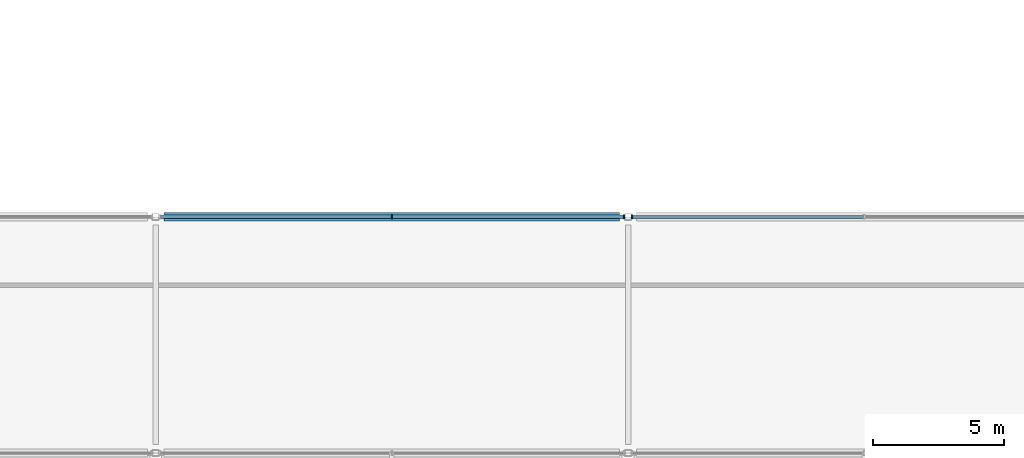
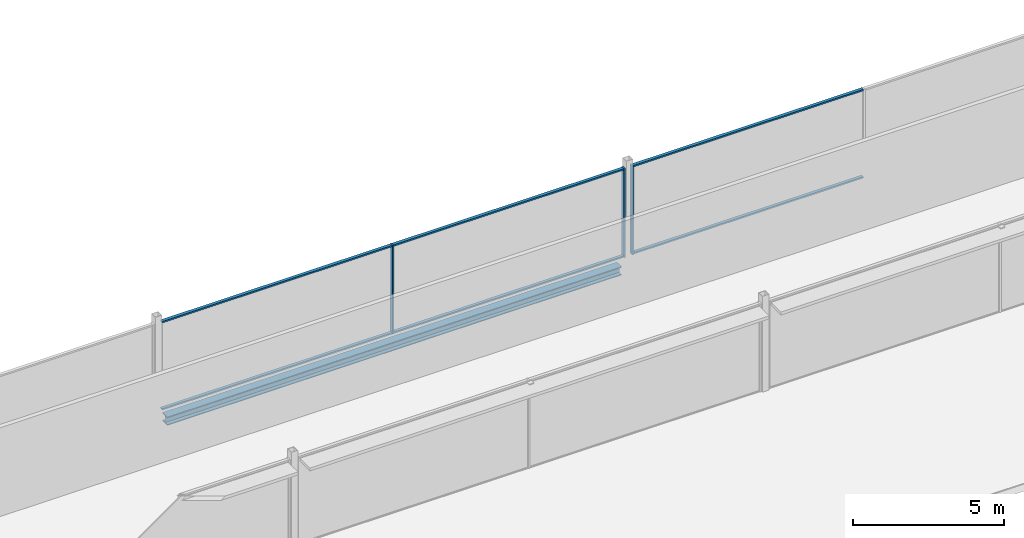
# One storey, part 38 of 105: 9 members, 1 beam, 2 elements without a shape of their own.
"""IFC4 building model written with IfcOpenShell, lengths in metres."""

from ifc_helpers import new_model, si_unit, direction, frame, origin, origin_2d, place, context, subcontext, project, spatial, rectangle, i_section, extrude, material, layer, layer_set, material_profile, profile_set, type_object, element, aggregate, save


model = new_model("IFC4")

# Units and contexts
model_context = context("Model", 3, precision=1e-05, world=origin(), true_north=direction((0.0, 1.0)))
body_context = subcontext(model_context, "Body", "Model", "MODEL_VIEW")
ifc_project = project(units=[si_unit("LENGTHUNIT", "METRE"), si_unit("AREAUNIT", "SQUARE_METRE"), si_unit("VOLUMEUNIT", "CUBIC_METRE"), si_unit("PLANEANGLEUNIT", "RADIAN"), si_unit("MASSUNIT", "GRAM", prefix="KILO")], contexts=[model_context])

# Site, building, storey
site_placement = place(None, origin())
site = spatial("IfcSite", under=ifc_project, at=site_placement, CompositionType="ELEMENT")
building_placement = place(site_placement, origin())
building = spatial("IfcBuilding", under=site, at=building_placement, Name="Kisiwana Market Hall", CompositionType="ELEMENT")
storey_placement = place(building_placement, frame((0.0, 0.0, 21.60009765625)))
storey = spatial("IfcBuildingStorey", under=building, at=storey_placement, Name="L04", CompositionType="ELEMENT", Elevation=21.60009765625)

# Beam
ifc_material_1 = material(Name="Steel S355", Category="steel")
ifc_material_profile_1 = material_profile(ifc_material_1, i_section(OverallWidth=0.314453125, OverallDepth=0.33984375, WebThickness=0.01904296875, FlangeThickness=0.031494140625, at=origin_2d()), Name="UC 305x305x198")
ifc_profile_set_1 = profile_set([ifc_material_profile_1], Name="Steel S355")
beam_type = type_object("IfcBeamType", Name="BM-SKYBR-CHORD", PredefinedType="BEAM", material=ifc_profile_set_1)
beam_placement = place(storey_placement, frame((63.321044921875, 102.0, -0.43505859375), z_axis=(1.0, 0.0, 0.0), x_axis=(0.0, 1.0, 0.0)))
element("IfcBeam", 1, at=beam_placement, inside=storey, type_object=beam_type, Name="Floor beam B-1472", PredefinedType="BEAM", context=body_context, shape_type="SweptSolid", body=[
    extrude(i_section(OverallWidth=0.314453125, OverallDepth=0.33984375, WebThickness=0.01904296875, FlangeThickness=0.031494140625, at=origin_2d()), origin(), (0.0, 0.0, 1.0), 17.35791015625),
])

# Curtain wall, members
ifc_material_2 = material(Name="Double-glazed solar-control low-E IGU", Category="glass")
ifc_layer = layer(ifc_material_2, 0.159912109375)
ifc_layer_set = layer_set([ifc_layer], Name="CW-ZNA-EW-8200")
curtain_wall_type = type_object("IfcCurtainWallType", Name="CW-ZNA-EW-8200", PredefinedType="USERDEFINED", material=ifc_layer_set)
curtain_wall_1_placement = place(storey_placement, origin())
curtain_wall_1 = element("IfcCurtainWall", 2, at=curtain_wall_1_placement, inside=storey, type_object=curtain_wall_type, Name="Unitised curtain wall CW-111 (L04)", ObjectType="UNITISED CURTAIN WALL", PredefinedType="USERDEFINED")
ifc_material_3 = material(Name="Aluminium alloy 6063-T6", Category="aluminium")
ifc_material_profile_2 = material_profile(ifc_material_3, rectangle(XDim=0.06005859375, YDim=0.159912109375, at=origin_2d()), Name="ALU MULLION 60x160")
ifc_profile_set_2 = profile_set([ifc_material_profile_2], Name="Aluminium alloy 6063-T6")
member_type_1 = type_object("IfcMemberType", Name="CW-MULL-60x160", PredefinedType="MULLION", material=ifc_profile_set_2)
member_1_placement = place(storey_placement, frame((72.0, 102.0, 0.0), z_axis=(0.0, 0.0, 1.0), x_axis=(1.0, 0.0, 0.0)))
member_1 = element("IfcMember", 3, at=member_1_placement, type_object=member_type_1, Name="CW-111 mullion 2", PredefinedType="MULLION", context=body_context, shape_type="SweptSolid", body=[
    extrude(rectangle(XDim=0.06005859375, YDim=0.159912109375, at=origin_2d()), origin(), (0.0, 0.0, 1.0), 3.5849609375),
])
member_2_placement = place(storey_placement, frame((80.844970703125, 102.0, 0.0), z_axis=(0.0, 0.0, 1.0), x_axis=(1.0, 0.0, 0.0)))
member_2 = element("IfcMember", 4, at=member_2_placement, type_object=member_type_1, Name="CW-111 mullion 3", PredefinedType="MULLION", context=body_context, shape_type="SweptSolid", body=[
    extrude(rectangle(XDim=0.06005859375, YDim=0.159912109375, at=origin_2d()), origin(), (0.0, 0.0, 1.0), 3.5849609375),
])

# Curtain wall, member
curtain_wall_2_placement = place(storey_placement, origin())
curtain_wall_2 = element("IfcCurtainWall", 5, at=curtain_wall_2_placement, inside=storey, type_object=curtain_wall_type, Name="Unitised curtain wall CW-112 (L04)", ObjectType="UNITISED CURTAIN WALL", PredefinedType="USERDEFINED")
member_3_placement = place(storey_placement, frame((81.155029296875, 102.0, 0.0), z_axis=(0.0, 0.0, 1.0), x_axis=(1.0, 0.0, 0.0)))
member_3 = element("IfcMember", 6, at=member_3_placement, type_object=member_type_1, Name="CW-112 mullion 1", PredefinedType="MULLION", context=body_context, shape_type="SweptSolid", body=[
    extrude(rectangle(XDim=0.06005859375, YDim=0.159912109375, at=origin_2d()), origin(), (0.0, 0.0, 1.0), 3.5849609375),
])

# Member
ifc_material_4 = material(Name="Aluminium alloy 6063-T6", Category="aluminium")
ifc_material_profile_3 = material_profile(ifc_material_4, rectangle(XDim=0.1201171875, YDim=0.06005859375, at=origin_2d()), Name="ALU TRANSOM 60x120")
ifc_profile_set_3 = profile_set([ifc_material_profile_3], Name="Aluminium alloy 6063-T6")
member_type_2 = type_object("IfcMemberType", Name="CW-TRAN-60x120", PredefinedType="USERDEFINED", material=ifc_profile_set_3)
member_4_placement = place(storey_placement, frame((63.18505859375, 102.0, 0.02978515625), z_axis=(1.0, 0.0, 0.0), x_axis=(0.0, 1.0, 0.0)))
member_4 = element("IfcMember", 7, at=member_4_placement, type_object=member_type_2, Name="CW-111 transom 1.1", ObjectType="TRANSOM", PredefinedType="USERDEFINED", context=body_context, shape_type="SweptSolid", body=[
    extrude(rectangle(XDim=0.1201171875, YDim=0.06005859375, at=origin_2d()), origin(), (0.0, 0.0, 1.0), 8.784912109375),
])

member_5_placement = place(storey_placement, frame((63.18505859375, 102.0, 3.554931640625), z_axis=(1.0, 0.0, 0.0), x_axis=(0.0, 1.0, 0.0)))
member_5 = element("IfcMember", 8, at=member_5_placement, type_object=member_type_2, Name="CW-111 transom 1.2", ObjectType="TRANSOM", PredefinedType="USERDEFINED", context=body_context, shape_type="SweptSolid", body=[
    extrude(rectangle(XDim=0.1201171875, YDim=0.06005859375, at=origin_2d()), origin(), (0.0, 0.0, 1.0), 8.784912109375),
])

member_6_placement = place(storey_placement, frame((72.030029296875, 102.0, 0.02978515625), z_axis=(1.0, 0.0, 0.0), x_axis=(0.0, 1.0, 0.0)))
member_6 = element("IfcMember", 9, at=member_6_placement, type_object=member_type_2, Name="CW-111 transom 2.1", ObjectType="TRANSOM", PredefinedType="USERDEFINED", context=body_context, shape_type="SweptSolid", body=[
    extrude(rectangle(XDim=0.1201171875, YDim=0.06005859375, at=origin_2d()), origin(), (0.0, 0.0, 1.0), 8.784912109375),
])

member_7_placement = place(storey_placement, frame((72.030029296875, 102.0, 3.554931640625), z_axis=(1.0, 0.0, 0.0), x_axis=(0.0, 1.0, 0.0)))
member_7 = element("IfcMember", 10, at=member_7_placement, type_object=member_type_2, Name="CW-111 transom 2.2", ObjectType="TRANSOM", PredefinedType="USERDEFINED", context=body_context, shape_type="SweptSolid", body=[
    extrude(rectangle(XDim=0.1201171875, YDim=0.06005859375, at=origin_2d()), origin(), (0.0, 0.0, 1.0), 8.784912109375),
])

aggregate(curtain_wall_1, [member_1, member_2, member_4, member_5, member_6, member_7])

member_8_placement = place(storey_placement, frame((81.18505859375, 102.0, 0.02978515625), z_axis=(1.0, 0.0, 0.0), x_axis=(0.0, 1.0, 0.0)))
member_8 = element("IfcMember", 11, at=member_8_placement, type_object=member_type_2, Name="CW-112 transom 1.1", ObjectType="TRANSOM", PredefinedType="USERDEFINED", context=body_context, shape_type="SweptSolid", body=[
    extrude(rectangle(XDim=0.1201171875, YDim=0.06005859375, at=origin_2d()), origin(), (0.0, 0.0, 1.0), 8.784912109375),
])

member_9_placement = place(storey_placement, frame((81.18505859375, 102.0, 3.554931640625), z_axis=(1.0, 0.0, 0.0), x_axis=(0.0, 1.0, 0.0)))
member_9 = element("IfcMember", 12, at=member_9_placement, type_object=member_type_2, Name="CW-112 transom 1.2", ObjectType="TRANSOM", PredefinedType="USERDEFINED", context=body_context, shape_type="SweptSolid", body=[
    extrude(rectangle(XDim=0.1201171875, YDim=0.06005859375, at=origin_2d()), origin(), (0.0, 0.0, 1.0), 8.784912109375),
])

aggregate(curtain_wall_2, [member_3, member_8, member_9])

save(model, "model.ifc")
